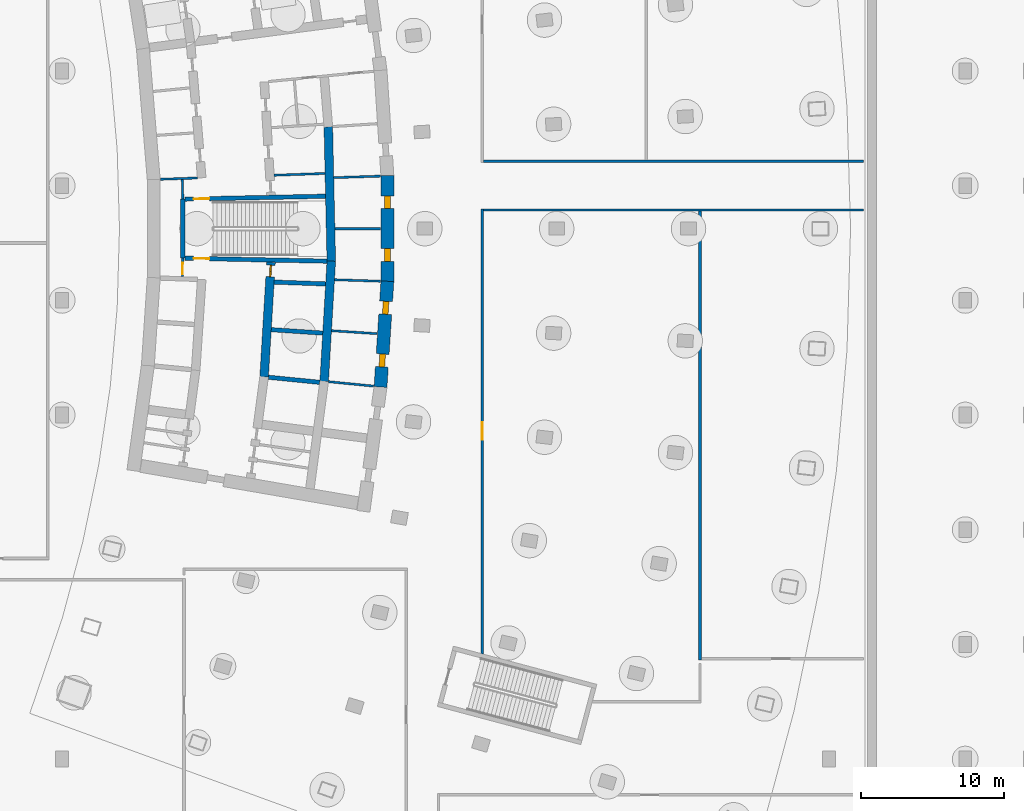
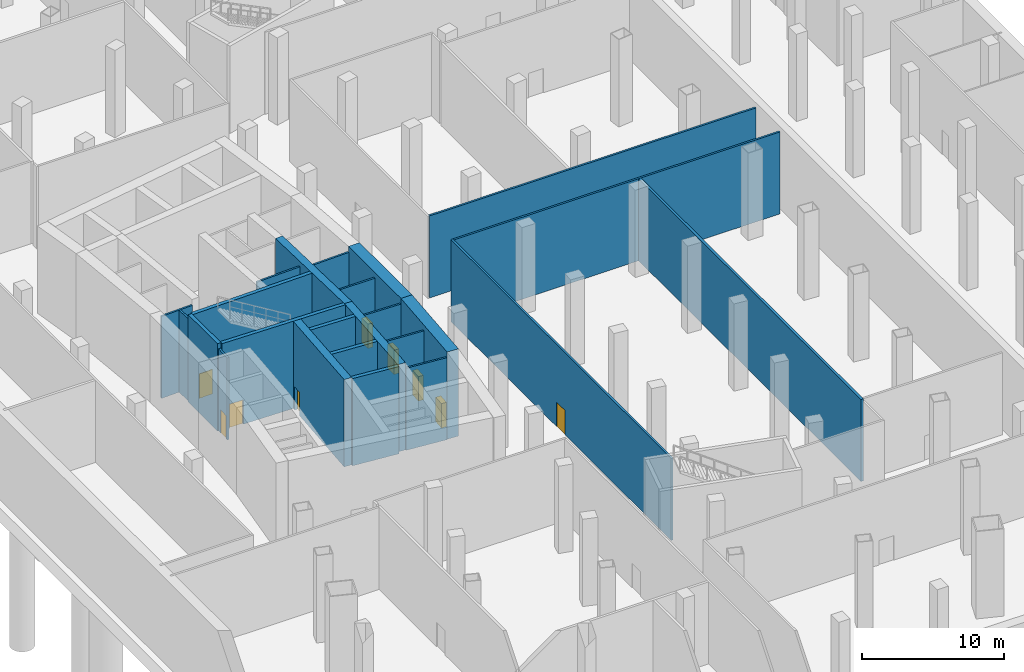
# One storey, part 6 of 19: 24 walls, 9 doors, 9 openings.
"""IFC4 building model written with IfcOpenShell, lengths in metres."""

from ifc_helpers import new_model, si_unit, direction, frame, frame_2d, origin, place, context, subcontext, project, spatial, rectangle, extrude, material, layer, layer_set, type_object, element, fill, save


model = new_model("IFC4")

# Units and contexts
model_context = context("Model", 3, precision=1e-05, world=origin(), true_north=direction((0.0, 1.0)))
body_context = subcontext(model_context, "Body", "Model", "MODEL_VIEW")
ifc_project = project(units=[si_unit("LENGTHUNIT", "METRE"), si_unit("AREAUNIT", "SQUARE_METRE"), si_unit("VOLUMEUNIT", "CUBIC_METRE"), si_unit("PLANEANGLEUNIT", "RADIAN"), si_unit("MASSUNIT", "GRAM", prefix="KILO")], contexts=[model_context])

# Site, building, storey
site_placement = place(None, origin())
site = spatial("IfcSite", under=ifc_project, at=site_placement, CompositionType="ELEMENT")
building_placement = place(site_placement, origin())
building = spatial("IfcBuilding", under=site, at=building_placement, Name="Alderwake Tower", CompositionType="ELEMENT")
storey_placement = place(building_placement, frame((0.0, 0.0, -14.0)))
storey = spatial("IfcBuildingStorey", under=building, at=storey_placement, Name="B2", CompositionType="ELEMENT", Elevation=-14.0)

# Wall
ifc_material_1 = material(Name="Gypsum shaft wall system, rated")
ifc_layer_1 = layer(ifc_material_1, 0.14990234375)
ifc_layer_set_1 = layer_set([ifc_layer_1], Name="Core riser partition 150")
wall_type_1 = type_object("IfcWallType", Name="Core riser partition 150", PredefinedType="PARTITIONING", material=ifc_layer_set_1)
wall_1_placement = place(storey_placement, frame((25.291259765625, 64.72705078125, 0.0), z_axis=(0.0, 0.0, 1.0), x_axis=(0.999373231824, 0.035399767136, 0.0)))
element("IfcWall", 1, at=wall_1_placement, inside=storey, type_object=wall_type_1, Name="CW/B2/PR+37_+86", PredefinedType="PARTITIONING", context=body_context, shape_type="SweptSolid", body=[
    extrude(rectangle(XDim=3.5517578125, YDim=0.14990234375, at=frame_2d((1.77587890625, 0.0))), origin(), (0.0, 0.0, 1.0), 7.050048828125),
])

# Wall, opening, door
ifc_material_2 = material(Name="Gypsum shaft wall system, rated")
ifc_layer_2 = layer(ifc_material_2, 0.14990234375)
ifc_layer_set_2 = layer_set([ifc_layer_2], Name="Core room partition 150")
wall_type_2 = type_object("IfcWallType", Name="Core room partition 150", PredefinedType="PARTITIONING", material=ifc_layer_set_2)
wall_2_placement = place(storey_placement, frame((18.918701171875, 58.94384765625, 0.0), z_axis=(0.0, 0.0, 1.0), x_axis=(-0.027348257573, -0.999625966453, 0.0)))
wall_2 = element("IfcWall", 2, at=wall_2_placement, inside=storey, type_object=wall_type_2, Name="CW/B2/PA+24_-37", PredefinedType="PARTITIONING", context=body_context, shape_type="SweptSolid", body=[
    extrude(rectangle(XDim=1.29443359375, YDim=0.14990234375, at=frame_2d((0.647216796875, 0.0))), origin(), (0.0, 0.0, 1.0), 7.050048828125),
])
opening_1_placement = place(wall_2_placement, frame((0.322998046875, 0.0, 0.0)))
opening_1 = element("IfcOpeningElement", 3, at=opening_1_placement, cuts=wall_2, Name="Opening C004", PredefinedType="OPENING", context=body_context, shape_type="SweptSolid", body=[
    extrude(rectangle(XDim=0.800048828125, YDim=2.0, at=frame_2d((0.39990234375, 1.0))), frame((0.0, 0.0849609375, 0.0), z_axis=(0.0, -1.0, 0.0), x_axis=(1.0, 0.0, 0.0)), (0.0, 0.0, 1.0), 0.169921875),
])
ifc_material_3 = material(Name="Painted steel leaf, rated", Category="steel")
door_type_1 = type_object("IfcDoorType", Name="Riser access door 800", OperationType="SINGLE_SWING_LEFT", PredefinedType="DOOR", material=ifc_material_3)
door_1_placement = place(opening_1_placement, origin())
door_1 = element("IfcDoor", 4, at=door_1_placement, inside=storey, type_object=door_type_1, Name="Riser access door", OperationType="SINGLE_SWING_RIGHT", OverallHeight=2.0, OverallWidth=0.800048828125, PredefinedType="DOOR", context=body_context, shape_type="SweptSolid", body=[
    extrude(rectangle(XDim=0.800048828125, YDim=2.0, at=frame_2d((0.39990234375, 1.0))), frame((0.0, 0.02490234375, 0.0), z_axis=(0.0, -1.0, 0.0), x_axis=(1.0, 0.0, 0.0)), (0.0, 0.0, 1.0), 0.050048828125),
])
fill(opening_1, door_1)

# Walls
wall_3_placement = place(storey_placement, frame((18.918701171875, 63.05517578125, 0.0), z_axis=(0.0, 0.0, 1.0), x_axis=(-0.027791791559, 0.99961373356, 0.0)))
element("IfcWall", 5, at=wall_3_placement, inside=storey, type_object=wall_type_2, Name="CW/B2/PA+24_+22", PredefinedType="PARTITIONING", context=body_context, shape_type="SweptSolid", body=[
    extrude(rectangle(XDim=1.370361328125, YDim=0.14990234375, at=frame_2d((0.68505859375, 0.0))), origin(), (0.0, 0.0, 1.0), 7.050048828125),
])
wall_4_placement = place(storey_placement, frame((29.0791015625, 50.326416015625, 0.0), z_axis=(0.0, 0.0, 1.0), x_axis=(0.995249181795, -0.097360495766, 0.0)))
element("IfcWall", 6, at=wall_4_placement, inside=storey, type_object=wall_type_2, Name="CW/B2/PR-102_+128", PredefinedType="PARTITIONING", context=body_context, shape_type="SweptSolid", body=[
    extrude(rectangle(XDim=3.169677734375, YDim=0.14990234375, at=frame_2d((1.5849609375, 0.0))), origin(), (0.0, 0.0, 1.0), 7.050048828125),
])
wall_5_placement = place(storey_placement, frame((29.289794921875, 53.883056640625, 0.0), z_axis=(0.0, 0.0, 1.0), x_axis=(0.997885290873, -0.064999586616, 0.0)))
element("IfcWall", 7, at=wall_5_placement, inside=storey, type_object=wall_type_2, Name="CW/B2/PR-68_+128", PredefinedType="PARTITIONING", context=body_context, shape_type="SweptSolid", body=[
    extrude(rectangle(XDim=3.18896484375, YDim=0.14990234375, at=frame_2d((1.594482421875, 0.0))), origin(), (0.0, 0.0, 1.0), 7.050048828125),
])
wall_6_placement = place(storey_placement, frame((29.50048828125, 57.4384765625, 0.0), z_axis=(0.0, 0.0, 1.0), x_axis=(0.999470508275, -0.032537717924, 0.0)))
element("IfcWall", 8, at=wall_6_placement, inside=storey, type_object=wall_type_2, Name="CW/B2/PR-34_+128", PredefinedType="PARTITIONING", context=body_context, shape_type="SweptSolid", body=[
    extrude(rectangle(XDim=3.21142578125, YDim=0.14990234375, at=frame_2d((1.605712890625, 0.0))), origin(), (0.0, 0.0, 1.0), 7.050048828125),
])
wall_7_placement = place(storey_placement, frame((29.526123046875, 61.0, 0.0), z_axis=(0.0, 0.0, 1.0), x_axis=(1.0, 0.0, 0.0)))
element("IfcWall", 9, at=wall_7_placement, inside=storey, type_object=wall_type_2, Name="CW/B2/PR+0_+128", PredefinedType="PARTITIONING", context=body_context, shape_type="SweptSolid", body=[
    extrude(rectangle(XDim=3.18408203125, YDim=0.14990234375, at=frame_2d((1.592041015625, 0.0))), origin(), (0.0, 0.0, 1.0), 7.050048828125),
])
wall_8_placement = place(storey_placement, frame((29.447509765625, 64.559814453125, 0.0), z_axis=(0.0, 0.0, 1.0), x_axis=(0.999470664956, 0.032532904763, 0.0)))
element("IfcWall", 10, at=wall_8_placement, inside=storey, type_object=wall_type_2, Name="CW/B2/PR+34_+128", PredefinedType="PARTITIONING", context=body_context, shape_type="SweptSolid", body=[
    extrude(rectangle(XDim=3.264404296875, YDim=0.14990234375, at=frame_2d((1.63232421875, 0.0))), origin(), (0.0, 0.0, 1.0), 7.050048828125),
])
wall_9_placement = place(storey_placement, frame((17.369384765625, 64.446533203125, 0.0), z_axis=(0.0, 0.0, 1.0), x_axis=(0.999371660382, 0.035444102817, 0.0)))
element("IfcWall", 11, at=wall_9_placement, inside=storey, type_object=wall_type_2, Name="CW/B2/PR+37_+0", PredefinedType="PARTITIONING", context=body_context, shape_type="SweptSolid", body=[
    extrude(rectangle(XDim=2.5693359375, YDim=0.14990234375, at=frame_2d((1.28466796875, 0.0))), origin(), (0.0, 0.0, 1.0), 7.050048828125),
])

# Wall, openings, doors
ifc_material_4 = material(Name="Concrete C70/85", Category="concrete")
ifc_layer_3 = layer(ifc_material_4, 0.89990234375)
ifc_layer_set_3 = layer_set([ifc_layer_3], Name="Core wall outer 900 C70-85")
wall_type_3 = type_object("IfcWallType", Name="Core wall outer 900 C70-85", PredefinedType="SHEAR", material=ifc_layer_set_3)
wall_10_placement = place(storey_placement, frame((33.191162109375, 57.33349609375, 0.0), z_axis=(0.0, 0.0, 1.0), x_axis=(-0.064976219143, -0.997886812693, 0.0)))
wall_10 = element("IfcWall", 12, at=wall_10_placement, inside=storey, type_object=wall_type_3, Name="Core wall CW.011", PredefinedType="SHEAR", context=body_context, shape_type="SweptSolid", body=[
    extrude(rectangle(XDim=7.39453125, YDim=0.89990234375, at=frame_2d((3.697265625, 0.0))), origin(), (0.0, 0.0, 1.0), 7.5),
])
opening_2_placement = place(wall_10_placement, frame((5.087646484375, 0.0, 0.0)))
opening_2 = element("IfcOpeningElement", 13, at=opening_2_placement, cuts=wall_10, Name="Opening C027", PredefinedType="OPENING", context=body_context, shape_type="SweptSolid", body=[
    extrude(rectangle(XDim=0.89990234375, YDim=2.10009765625, at=frame_2d((0.449951171875, 1.050048828125))), frame((0.0, 0.4599609375, 0.0), z_axis=(0.0, -1.0, 0.0), x_axis=(1.0, 0.0, 0.0)), (0.0, 0.0, 1.0), 0.919921875),
])
opening_3_placement = place(wall_10_placement, frame((1.405517578125, 0.0, 0.0)))
opening_3 = element("IfcOpeningElement", 14, at=opening_3_placement, cuts=wall_10, Name="Opening C029", PredefinedType="OPENING", context=body_context, shape_type="SweptSolid", body=[
    extrude(rectangle(XDim=0.89990234375, YDim=2.10009765625, at=frame_2d((0.449951171875, 1.050048828125))), frame((0.0, 0.4599609375, 0.0), z_axis=(0.0, -1.0, 0.0), x_axis=(1.0, 0.0, 0.0)), (0.0, 0.0, 1.0), 0.919921875),
])
ifc_material_5 = material(Name="Painted steel leaf", Category="steel")
door_type_2 = type_object("IfcDoorType", Name="Core room door 900", OperationType="SINGLE_SWING_LEFT", PredefinedType="DOOR", material=ifc_material_5)
door_2_placement = place(opening_2_placement, origin())
door_2 = element("IfcDoor", 15, at=door_2_placement, inside=storey, type_object=door_type_2, Name="Room door", OperationType="SINGLE_SWING_RIGHT", OverallHeight=2.10009765625, OverallWidth=0.89990234375, PredefinedType="DOOR", context=body_context, shape_type="SweptSolid", body=[
    extrude(rectangle(XDim=0.89990234375, YDim=2.10009765625, at=frame_2d((0.449951171875, 1.050048828125))), frame((0.0, 0.199951171875, 0.0), z_axis=(0.0, -1.0, 0.0), x_axis=(1.0, 0.0, 0.0)), (0.0, 0.0, 1.0), 0.39990234375),
])
fill(opening_2, door_2)
door_3_placement = place(opening_3_placement, origin())
door_3 = element("IfcDoor", 16, at=door_3_placement, inside=storey, type_object=door_type_2, Name="Room door", OperationType="SINGLE_SWING_LEFT", OverallHeight=2.10009765625, OverallWidth=0.89990234375, PredefinedType="DOOR", context=body_context, shape_type="SweptSolid", body=[
    extrude(rectangle(XDim=0.89990234375, YDim=2.10009765625, at=frame_2d((0.449951171875, 1.050048828125))), frame((0.0, 0.199951171875, 0.0), z_axis=(0.0, -1.0, 0.0), x_axis=(1.0, 0.0, 0.0)), (0.0, 0.0, 1.0), 0.39990234375),
])
fill(opening_3, door_3)

wall_11_placement = place(storey_placement, frame((33.190185546875, 64.69677734375, 0.0), z_axis=(0.0, 0.0, 1.0), x_axis=(0.0, -1.0, 0.0)))
wall_11 = element("IfcWall", 17, at=wall_11_placement, inside=storey, type_object=wall_type_3, Name="Core wall CW.013", PredefinedType="SHEAR", context=body_context, shape_type="SweptSolid", body=[
    extrude(rectangle(XDim=7.3935546875, YDim=0.89990234375, at=frame_2d((3.69677734375, 0.0))), origin(), (0.0, 0.0, 1.0), 7.5),
])
opening_4_placement = place(wall_11_placement, frame((5.087646484375, 0.0, 0.0)))
opening_4 = element("IfcOpeningElement", 18, at=opening_4_placement, cuts=wall_11, Name="Opening C031", PredefinedType="OPENING", context=body_context, shape_type="SweptSolid", body=[
    extrude(rectangle(XDim=0.89990234375, YDim=2.10009765625, at=frame_2d((0.449951171875, 1.050048828125))), frame((0.0, 0.4599609375, 0.0), z_axis=(0.0, -1.0, 0.0), x_axis=(1.0, 0.0, 0.0)), (0.0, 0.0, 1.0), 0.919921875),
])
opening_5_placement = place(wall_11_placement, frame((1.405517578125, 0.0, 0.0)))
opening_5 = element("IfcOpeningElement", 19, at=opening_5_placement, cuts=wall_11, Name="Opening C034", PredefinedType="OPENING", context=body_context, shape_type="SweptSolid", body=[
    extrude(rectangle(XDim=0.89990234375, YDim=2.10009765625, at=frame_2d((0.449951171875, 1.050048828125))), frame((0.0, 0.4599609375, 0.0), z_axis=(0.0, -1.0, 0.0), x_axis=(1.0, 0.0, 0.0)), (0.0, 0.0, 1.0), 0.919921875),
])
door_4_placement = place(opening_4_placement, origin())
door_4 = element("IfcDoor", 20, at=door_4_placement, inside=storey, type_object=door_type_2, Name="Room door", OperationType="SINGLE_SWING_RIGHT", OverallHeight=2.10009765625, OverallWidth=0.89990234375, PredefinedType="DOOR", context=body_context, shape_type="SweptSolid", body=[
    extrude(rectangle(XDim=0.89990234375, YDim=2.10009765625, at=frame_2d((0.449951171875, 1.050048828125))), frame((0.0, 0.199951171875, 0.0), z_axis=(0.0, -1.0, 0.0), x_axis=(1.0, 0.0, 0.0)), (0.0, 0.0, 1.0), 0.39990234375),
])
fill(opening_4, door_4)
door_5_placement = place(opening_5_placement, origin())
door_5 = element("IfcDoor", 21, at=door_5_placement, inside=storey, type_object=door_type_2, Name="Room door", OperationType="SINGLE_SWING_LEFT", OverallHeight=2.10009765625, OverallWidth=0.89990234375, PredefinedType="DOOR", context=body_context, shape_type="SweptSolid", body=[
    extrude(rectangle(XDim=0.89990234375, YDim=2.10009765625, at=frame_2d((0.449951171875, 1.050048828125))), frame((0.0, 0.199951171875, 0.0), z_axis=(0.0, -1.0, 0.0), x_axis=(1.0, 0.0, 0.0)), (0.0, 0.0, 1.0), 0.39990234375),
])
fill(opening_5, door_5)

# Walls
ifc_material_6 = material(Name="Concrete C70/85", Category="concrete")
ifc_layer_4 = layer(ifc_material_6, 0.300048828125)
ifc_layer_set_4 = layer_set([ifc_layer_4], Name="Core wall shaft 300 C70-85")
wall_type_4 = type_object("IfcWallType", Name="Core wall shaft 300 C70-85", PredefinedType="SHEAR", material=ifc_layer_set_4)
wall_12_placement = place(storey_placement, frame((24.889404296875, 50.635009765625, 0.0), z_axis=(0.0, 0.0, 1.0), x_axis=(0.995156121494, -0.098307140396, 0.0)))
element("IfcWall", 22, at=wall_12_placement, inside=storey, type_object=wall_type_4, Name="Core wall CW.066", PredefinedType="SHEAR", context=body_context, shape_type="SweptSolid", body=[
    extrude(rectangle(XDim=3.595947265625, YDim=0.300048828125, at=frame_2d((1.7978515625, 0.0))), origin(), (0.0, 0.0, 1.0), 7.5),
])
wall_13_placement = place(storey_placement, frame((25.090087890625, 53.954833984375, 0.0), z_axis=(0.0, 0.0, 1.0), x_axis=(0.997758045734, -0.066924451231, 0.0)))
element("IfcWall", 23, at=wall_13_placement, inside=storey, type_object=wall_type_4, Name="Core wall CW.080", PredefinedType="SHEAR", context=body_context, shape_type="SweptSolid", body=[
    extrude(rectangle(XDim=3.596923828125, YDim=0.300048828125, at=frame_2d((1.79833984375, 0.0))), origin(), (0.0, 0.0, 1.0), 7.5),
])
wall_14_placement = place(storey_placement, frame((25.29052734375, 57.27294921875, 0.0), z_axis=(0.0, 0.0, 1.0), x_axis=(0.99937585491, -0.035325636908, 0.0)))
element("IfcWall", 24, at=wall_14_placement, inside=storey, type_object=wall_type_4, Name="Core wall CW.077", PredefinedType="SHEAR", context=body_context, shape_type="SweptSolid", body=[
    extrude(rectangle(XDim=3.59375, YDim=0.300048828125, at=frame_2d((1.796875, 0.0))), origin(), (0.0, 0.0, 1.0), 7.5),
])

# Wall, opening, door
ifc_material_7 = material(Name="Concrete C70/85", Category="concrete")
ifc_layer_5 = layer(ifc_material_7, 0.60009765625)
ifc_layer_set_5 = layer_set([ifc_layer_5], Name="Core wall spine 600 C70-85")
wall_type_5 = type_object("IfcWallType", Name="Core wall spine 600 C70-85", PredefinedType="SHEAR", material=ifc_layer_set_5)
wall_15_placement = place(storey_placement, frame((24.58984375, 50.6533203125, 0.0), z_axis=(0.0, 0.0, 1.0), x_axis=(0.060323309079, 0.998178890972, 0.0)))
wall_15 = element("IfcWall", 25, at=wall_15_placement, inside=storey, type_object=wall_type_5, Name="Core wall CW.046", PredefinedType="SHEAR", context=body_context, shape_type="SweptSolid", body=[
    extrude(rectangle(XDim=8.025634765625, YDim=0.60009765625, at=frame_2d((4.0126953125, 0.0))), origin(), (0.0, 0.0, 1.0), 7.5),
])
opening_6_placement = place(wall_15_placement, frame((7.009521484375, 0.0, 0.0)))
opening_6 = element("IfcOpeningElement", 26, at=opening_6_placement, cuts=wall_15, Name="Opening C006", PredefinedType="OPENING", context=body_context, shape_type="SweptSolid", body=[
    extrude(rectangle(XDim=0.800048828125, YDim=2.0, at=frame_2d((0.39990234375, 1.0))), frame((0.0, 0.31005859375, 0.0), z_axis=(0.0, -1.0, 0.0), x_axis=(1.0, 0.0, 0.0)), (0.0, 0.0, 1.0), 0.6201171875),
])
door_6_placement = place(opening_6_placement, origin())
door_6 = element("IfcDoor", 27, at=door_6_placement, inside=storey, type_object=door_type_1, Name="Riser access door", OperationType="SINGLE_SWING_RIGHT", OverallHeight=2.0, OverallWidth=0.800048828125, PredefinedType="DOOR", context=body_context, shape_type="SweptSolid", body=[
    extrude(rectangle(XDim=0.800048828125, YDim=2.0, at=frame_2d((0.39990234375, 1.0))), frame((0.0, 0.050048828125, 0.0), z_axis=(0.0, -1.0, 0.0), x_axis=(1.0, 0.0, 0.0)), (0.0, 0.0, 1.0), 0.10009765625),
])
fill(opening_6, door_6)

# Walls
wall_16_placement = place(storey_placement, frame((28.77978515625, 50.34423828125, 0.0), z_axis=(0.0, 0.0, 1.0), x_axis=(0.059133840665, 0.998250063305, 0.0)))
element("IfcWall", 28, at=wall_16_placement, inside=storey, type_object=wall_type_5, Name="Core wall CW.004", PredefinedType="SHEAR", context=body_context, shape_type="SweptSolid", body=[
    extrude(rectangle(XDim=8.409912109375, YDim=0.60009765625, at=frame_2d((4.205078125, 0.0))), origin(), (0.0, 0.0, 1.0), 7.5),
])
wall_17_placement = place(storey_placement, frame((29.276611328125, 58.714111328125, 0.0), z_axis=(0.0, 0.0, 1.0), x_axis=(-0.022102514973, 0.999755709577, 0.0)))
element("IfcWall", 29, at=wall_17_placement, inside=storey, type_object=wall_type_5, Name="Core wall CW.007", PredefinedType="SHEAR", context=body_context, shape_type="SweptSolid", body=[
    extrude(rectangle(XDim=9.39990234375, YDim=0.60009765625, at=frame_2d((4.699951171875, 0.0))), origin(), (0.0, 0.0, 1.0), 7.5),
])
ifc_material_8 = material(Name="Concrete C70/85", Category="concrete")
ifc_layer_6 = layer(ifc_material_8, 0.300048828125)
ifc_layer_set_6 = layer_set([ifc_layer_6], Name="Core wall stair enclosure 300 C70-85")
wall_type_6 = type_object("IfcWallType", Name="Core wall stair enclosure 300 C70-85", PredefinedType="SHEAR", material=ifc_layer_set_6)
wall_18_placement = place(storey_placement, frame((18.918701171875, 58.94091796875, 0.0), z_axis=(0.0, 0.0, 1.0), x_axis=(0.0, 1.0, 0.0)))
element("IfcWall", 30, at=wall_18_placement, inside=storey, type_object=wall_type_6, Name="Core wall CW.024", PredefinedType="SHEAR", context=body_context, shape_type="SweptSolid", body=[
    extrude(rectangle(XDim=4.119384765625, YDim=0.300048828125, at=frame_2d((2.0595703125, 0.0))), origin(), (0.0, 0.0, 1.0), 7.5),
])

# Wall, opening, door
wall_19_placement = place(storey_placement, frame((28.976318359375, 58.733154296875, 0.0), z_axis=(0.0, 0.0, 1.0), x_axis=(-0.999783804252, 0.020792901552, 0.0)))
wall_19 = element("IfcWall", 31, at=wall_19_placement, inside=storey, type_object=wall_type_6, Name="Core wall CW.074", PredefinedType="SHEAR", context=body_context, shape_type="SweptSolid", body=[
    extrude(rectangle(XDim=9.909912109375, YDim=0.300048828125, at=frame_2d((4.955078125, 0.0))), origin(), (0.0, 0.0, 1.0), 7.5),
])
opening_7_placement = place(wall_19_placement, frame((8.209716796875, 0.0, 0.0)))
opening_7 = element("IfcOpeningElement", 32, at=opening_7_placement, cuts=wall_19, Name="Opening C063", PredefinedType="OPENING", context=body_context, shape_type="SweptSolid", body=[
    extrude(rectangle(XDim=1.10009765625, YDim=2.10009765625, at=frame_2d((0.550048828125, 1.050048828125))), frame((0.0, 0.159912109375, 0.0), z_axis=(0.0, -1.0, 0.0), x_axis=(1.0, 0.0, 0.0)), (0.0, 0.0, 1.0), 0.320068359375),
])
ifc_material_9 = material(Name="Steel-framed fire door leaf", Category="steel")
door_type_3 = type_object("IfcDoorType", Name="Core stair door 1100 fire-rated", OperationType="SINGLE_SWING_LEFT", PredefinedType="DOOR", material=ifc_material_9)
door_7_placement = place(opening_7_placement, origin())
door_7 = element("IfcDoor", 33, at=door_7_placement, inside=storey, type_object=door_type_3, Name="Stair door", OperationType="SINGLE_SWING_LEFT", OverallHeight=2.10009765625, OverallWidth=1.10009765625, PredefinedType="DOOR", context=body_context, shape_type="SweptSolid", body=[
    extrude(rectangle(XDim=1.10009765625, YDim=2.10009765625, at=frame_2d((0.550048828125, 1.050048828125))), frame((0.0, 0.02490234375, 0.0), z_axis=(0.0, -1.0, 0.0), x_axis=(1.0, 0.0, 0.0)), (0.0, 0.0, 1.0), 0.050048828125),
])
fill(opening_7, door_7)

wall_20_placement = place(storey_placement, frame((19.068603515625, 63.060791015625, 0.0), z_axis=(0.0, 0.0, 1.0), x_axis=(0.999783520771, 0.020806527678, 0.0)))
wall_20 = element("IfcWall", 34, at=wall_20_placement, inside=storey, type_object=wall_type_6, Name="Core wall CW.057", PredefinedType="SHEAR", context=body_context, shape_type="SweptSolid", body=[
    extrude(rectangle(XDim=9.8095703125, YDim=0.300048828125, at=frame_2d((4.90478515625, 0.0))), origin(), (0.0, 0.0, 1.0), 7.5),
])
opening_8_placement = place(wall_20_placement, frame((0.60009765625, 0.0, 0.0)))
opening_8 = element("IfcOpeningElement", 35, at=opening_8_placement, cuts=wall_20, Name="Opening C064", PredefinedType="OPENING", context=body_context, shape_type="SweptSolid", body=[
    extrude(rectangle(XDim=1.10009765625, YDim=2.10009765625, at=frame_2d((0.550048828125, 1.050048828125))), frame((0.0, 0.159912109375, 0.0), z_axis=(0.0, -1.0, 0.0), x_axis=(1.0, 0.0, 0.0)), (0.0, 0.0, 1.0), 0.320068359375),
])
door_8_placement = place(opening_8_placement, origin())
door_8 = element("IfcDoor", 36, at=door_8_placement, inside=storey, type_object=door_type_3, Name="Stair door", OperationType="SINGLE_SWING_RIGHT", OverallHeight=2.10009765625, OverallWidth=1.10009765625, PredefinedType="DOOR", context=body_context, shape_type="SweptSolid", body=[
    extrude(rectangle(XDim=1.10009765625, YDim=2.10009765625, at=frame_2d((0.550048828125, 1.050048828125))), frame((0.0, 0.02490234375, 0.0), z_axis=(0.0, -1.0, 0.0), x_axis=(1.0, 0.0, 0.0)), (0.0, 0.0, 1.0), 0.050048828125),
])
fill(opening_8, door_8)

ifc_material_10 = material(Name="Gypsum board on metal studs, rated")
ifc_layer_7 = layer(ifc_material_10, 0.159912109375)
ifc_layer_set_7 = layer_set([ifc_layer_7], Name="Corridor wall 160")
wall_type_7 = type_object("IfcWallType", Name="Corridor wall 160", PredefinedType="PARTITIONING", material=ifc_layer_set_7)
wall_21_placement = place(storey_placement, frame((39.801025390625, 31.341064453125, 0.0), z_axis=(0.0, 0.0, 1.0), x_axis=(0.0, 1.0, 0.0)))
wall_21 = element("IfcWall", 37, at=wall_21_placement, inside=storey, type_object=wall_type_7, Name="WL/B2/W46", PredefinedType="PARTITIONING", context=body_context, shape_type="SweptSolid", body=[
    extrude(rectangle(XDim=31.0400390625, YDim=0.159912109375, at=frame_2d((15.52001953125, 0.0))), origin(), (0.0, 0.0, 1.0), 7.050048828125),
])
opening_9_placement = place(wall_21_placement, frame((14.950439453125, 0.0, 0.0)))
opening_9 = element("IfcOpeningElement", 38, at=opening_9_placement, cuts=wall_21, Name="Opening B2-24", PredefinedType="OPENING", context=body_context, shape_type="SweptSolid", body=[
    extrude(rectangle(XDim=1.199951171875, YDim=2.10009765625, at=frame_2d((0.60009765625, 1.050048828125))), frame((0.0, 0.08984375, 0.0), z_axis=(0.0, -1.0, 0.0), x_axis=(1.0, 0.0, 0.0)), (0.0, 0.0, 1.0), 0.179931640625),
])
ifc_material_11 = material(Name="Steel door leaf in steel frame", Category="steel")
door_type_4 = type_object("IfcDoorType", Name="Plant room door 1200 steel", OperationType="SINGLE_SWING_LEFT", PredefinedType="DOOR", material=ifc_material_11)
door_9_placement = place(opening_9_placement, origin())
door_9 = element("IfcDoor", 39, at=door_9_placement, inside=storey, type_object=door_type_4, Name="DR/B2/24", OperationType="SINGLE_SWING_LEFT", OverallHeight=2.10009765625, OverallWidth=1.199951171875, PredefinedType="DOOR", context=body_context, shape_type="SweptSolid", body=[
    extrude(rectangle(XDim=1.199951171875, YDim=2.10009765625, at=frame_2d((0.60009765625, 1.050048828125))), frame((0.0, 0.02490234375, 0.0), z_axis=(0.0, -1.0, 0.0), x_axis=(1.0, 0.0, 0.0)), (0.0, 0.0, 1.0), 0.050048828125),
])
fill(opening_9, door_9)

# Walls
for number, where, z_axis, x_axis, name in (
    (40, (39.881103515625, 62.301025390625, 0.0), (0.0, 0.0, 1.0), (1.0, 0.0, 0.0), "WL/B2/W47"),
    (41, (66.39892578125, 65.699951171875, 0.0), (0.0, 0.0, 1.0), (-1.0, 0.0, 0.0), "WL/B2/W57"),
):
    element("IfcWall", number, at=place(storey_placement, frame(where, z_axis=z_axis, x_axis=x_axis)), inside=storey, type_object=wall_type_7, Name=name, PredefinedType="PARTITIONING", context=body_context, shape_type="SweptSolid", body=[
        extrude(rectangle(XDim=26.517822265625, YDim=0.159912109375, at=frame_2d((13.2587890625, 0.0))), origin(), (0.0, 0.0, 1.0), 7.050048828125),
    ])
ifc_material_12 = material(Name="Dense block masonry wall", Category="masonry")
ifc_layer_8 = layer(ifc_material_12, 0.199951171875)
ifc_layer_set_8 = layer_set([ifc_layer_8], Name="Party wall 200")
wall_type_8 = type_object("IfcWallType", Name="Party wall 200", PredefinedType="SOLIDWALL", material=ifc_layer_set_8)
wall_22_placement = place(storey_placement, frame((54.9990234375, 30.9189453125, 0.0), z_axis=(0.0, 0.0, 1.0), x_axis=(0.0, 1.0, 0.0)))
element("IfcWall", 42, at=wall_22_placement, inside=storey, type_object=wall_type_8, Name="WL/B2/W10", PredefinedType="SOLIDWALL", context=body_context, shape_type="SweptSolid", body=[
    extrude(rectangle(XDim=31.302001953125, YDim=0.199951171875, at=frame_2d((15.65087890625, 0.0))), origin(), (0.0, 0.0, 1.0), 7.050048828125),
])

save(model, "model.ifc")
